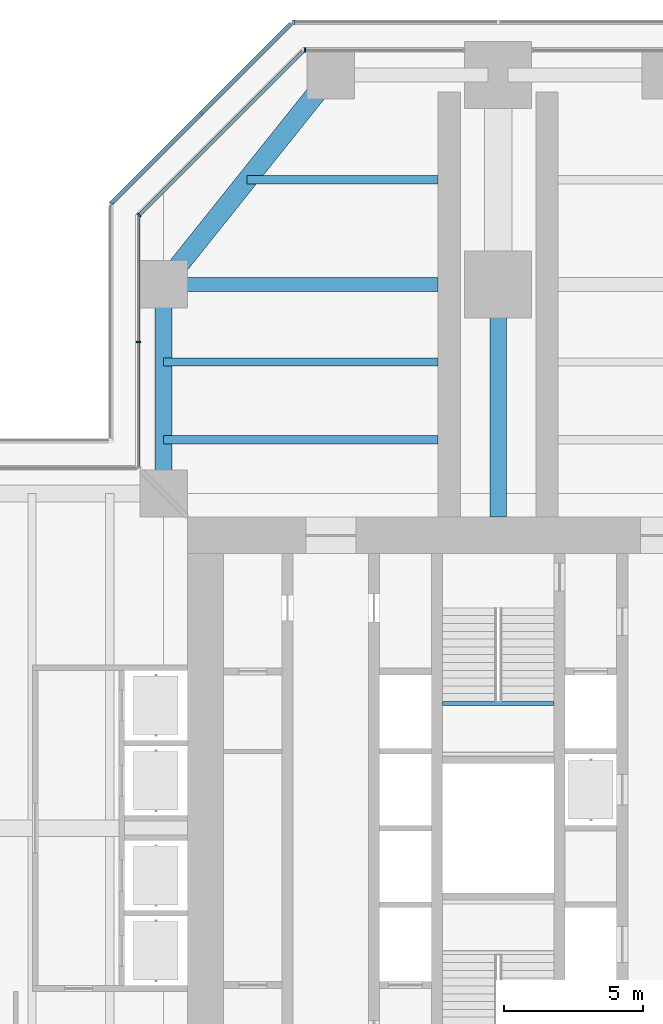
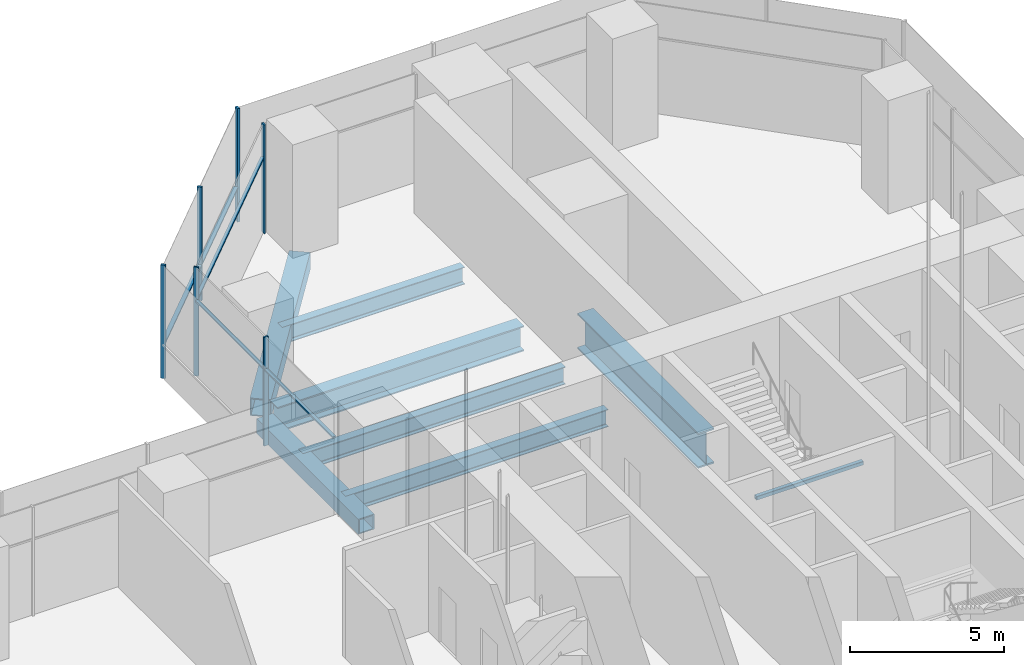
# One storey, part 7 of 34: 11 members, 8 beams, 5 elements without a shape of their own.
"""IFC4 building model written with IfcOpenShell, lengths in metres."""

from ifc_helpers import new_model, si_unit, direction, frame, origin, origin_2d, place, context, subcontext, project, spatial, rectangle, hollow_rectangle, i_section, extrude, material, material_profile, profile_set, type_object, element, aggregate, save


model = new_model("IFC4")

# Units and contexts
model_context = context("Model", 3, precision=1e-05, world=origin(), true_north=direction((0.0, 1.0)))
body_context = subcontext(model_context, "Body", "Model", "MODEL_VIEW")
ifc_project = project(units=[si_unit("LENGTHUNIT", "METRE"), si_unit("AREAUNIT", "SQUARE_METRE"), si_unit("VOLUMEUNIT", "CUBIC_METRE"), si_unit("PLANEANGLEUNIT", "RADIAN"), si_unit("MASSUNIT", "GRAM", prefix="KILO")], contexts=[model_context])

# Site, building, storey
site_placement = place(None, origin())
site = spatial("IfcSite", under=ifc_project, at=site_placement, CompositionType="ELEMENT")
building_placement = place(site_placement, origin())
building = spatial("IfcBuilding", under=site, at=building_placement, Name="Mizan Broadcast Tower", CompositionType="ELEMENT")
storey_placement = place(building_placement, frame((0.0, 0.0, 194.39990234375)))
storey = spatial("IfcBuildingStorey", under=building, at=storey_placement, Name="L45", CompositionType="ELEMENT", Elevation=194.39990234375)

# Beams
ifc_material_1 = material(Name="Steel S355", Category="steel")
ifc_material_profile_1 = material_profile(ifc_material_1, hollow_rectangle(XDim=0.60009765625, YDim=0.60009765625, WallThickness=0.0400390625, at=origin_2d()), Name="BOX 600x600x40")
ifc_profile_set_1 = profile_set([ifc_material_profile_1], Name="Steel S355")
beam_type_1 = type_object("IfcBeamType", Name="EDGE BEAM BOX 600x600x40", PredefinedType="SPANDREL", material=ifc_profile_set_1)
beam_1_placement = place(storey_placement, frame((-12.0, 12.449951171875, -0.429931640625), z_axis=(0.0, 1.0, 0.0), x_axis=(-1.0, 0.0, 0.0)))
element("IfcBeam", 1, at=beam_1_placement, inside=storey, type_object=beam_type_1, Name="Edge beam BOX 600x600x40 L45 north arm", PredefinedType="SPANDREL", context=body_context, shape_type="SweptSolid", body=[
    extrude(hollow_rectangle(XDim=0.60009765625, YDim=0.60009765625, WallThickness=0.0400390625, at=origin_2d()), origin(), (0.0, 0.0, 1.0), 6.60009765625),
])
ifc_material_2 = material(Name="Steel S355", Category="steel")
ifc_material_profile_2 = material_profile(ifc_material_2, hollow_rectangle(XDim=0.699951171875, YDim=0.699951171875, WallThickness=0.0400390625, at=origin_2d()), Name="BOX 700x700x40")
ifc_profile_set_2 = profile_set([ifc_material_profile_2], Name="Steel S355")
beam_type_2 = type_object("IfcBeamType", Name="EDGE BEAM BOX 700x700x40", PredefinedType="SPANDREL", material=ifc_profile_set_2)
beam_2_placement = place(storey_placement, frame((-11.639892578125, 19.949951171875, -0.47998046875), z_axis=(0.624673911726, 0.780885717636, 0.0), x_axis=(-0.780885717636, 0.624673911726, 0.0)))
element("IfcBeam", 2, at=beam_2_placement, inside=storey, type_object=beam_type_2, Name="Edge beam BOX 700x700x40 L45 north arm", PredefinedType="SPANDREL", context=body_context, shape_type="SweptSolid", body=[
    extrude(hollow_rectangle(XDim=0.699951171875, YDim=0.699951171875, WallThickness=0.0400390625, at=origin_2d()), origin(), (0.0, 0.0, 1.0), 8.4521484375),
])
ifc_material_3 = material(Name="Steel S460", Category="steel")
ifc_material_profile_3 = material_profile(ifc_material_3, i_section(OverallWidth=0.5, OverallDepth=1.0, WebThickness=0.02490234375, FlangeThickness=0.050048828125, at=origin_2d()), Name="WPG 1000x500")
ifc_profile_set_3 = profile_set([ifc_material_profile_3], Name="Steel S460")
beam_type_3 = type_object("IfcBeamType", Name="GIRDER WPG 1000x500", PredefinedType="BEAM", material=ifc_profile_set_3)
beam_3_placement = place(storey_placement, frame((-11.408935546875, 19.5, -0.6298828125), z_axis=(1.0, 0.0, 0.0), x_axis=(0.0, 1.0, 0.0)))
element("IfcBeam", 3, at=beam_3_placement, inside=storey, type_object=beam_type_3, Name="Girder WPG 1000x500 L45 north arm", PredefinedType="BEAM", context=body_context, shape_type="SweptSolid", body=[
    extrude(i_section(OverallWidth=0.5, OverallDepth=1.0, WebThickness=0.02490234375, FlangeThickness=0.050048828125, at=origin_2d()), origin(), (0.0, 0.0, 1.0), 9.259033203125),
])
ifc_material_4 = material(Name="Steel S460", Category="steel")
ifc_material_profile_4 = material_profile(ifc_material_4, i_section(OverallWidth=0.60009765625, OverallDepth=1.39990234375, WebThickness=0.02490234375, FlangeThickness=0.06005859375, at=origin_2d()), Name="WPG 1400x600")
ifc_profile_set_4 = profile_set([ifc_material_profile_4], Name="Steel S460")
beam_type_4 = type_object("IfcBeamType", Name="GIRDER WPG 1400x600", PredefinedType="BEAM", material=ifc_profile_set_4)
beam_4_placement = place(storey_placement, frame((0.0, 11.14990234375, -0.829833984375), z_axis=(0.0, 1.0, 0.0), x_axis=(-1.0, 0.0, 0.0)))
element("IfcBeam", 4, at=beam_4_placement, inside=storey, type_object=beam_type_4, Name="Girder WPG 1400x600 L45 north arm", PredefinedType="BEAM", context=body_context, shape_type="SweptSolid", body=[
    extrude(i_section(OverallWidth=0.60009765625, OverallDepth=1.39990234375, WebThickness=0.02490234375, FlangeThickness=0.06005859375, at=origin_2d()), origin(), (0.0, 0.0, 1.0), 7.84912109375),
])

# Curtain wall, member
ifc_material_5 = material(Name="Aluminium framed glazing", Category="aluminium")
curtain_wall_type_1 = type_object("IfcCurtainWallType", Name="INNER SKIN HIGH ZONE", PredefinedType="USERDEFINED", material=ifc_material_5)
curtain_wall_1_placement = place(storey_placement, origin())
curtain_wall_1 = element("IfcCurtainWall", 5, at=curtain_wall_1_placement, inside=storey, type_object=curtain_wall_type_1, Name="Inner skin high zone L45 N end", ObjectType="INNER SKIN HIGH ZONE", PredefinedType="USERDEFINED")
ifc_material_6 = material(Name="Aluminium, pale anodised", Category="aluminium")
ifc_material_profile_5 = material_profile(ifc_material_6, rectangle(XDim=0.159912109375, YDim=0.06005859375, at=origin_2d()), Name="MULLION 160x60")
ifc_profile_set_5 = profile_set([ifc_material_profile_5], Name="Aluminium, pale anodised")
member_type_1 = type_object("IfcMemberType", Name="INNER SKIN MULLION 60x160", PredefinedType="MULLION", material=ifc_profile_set_5)
member_1_placement = place(storey_placement, frame((-6.928466796875, 27.89990234375, 0.0), z_axis=(0.0, 0.0, 1.0), x_axis=(0.0, -1.0, 0.0)))
member_1 = element("IfcMember", 6, at=member_1_placement, type_object=member_type_1, Name="Inner skin high zone L45 N end mullion 2", PredefinedType="MULLION", context=body_context, shape_type="SweptSolid", body=[
    extrude(rectangle(XDim=0.159912109375, YDim=0.06005859375, at=origin_2d()), origin(), (0.0, 0.0, 1.0), 4.320068359375),
])
aggregate(curtain_wall_1, [member_1])

curtain_wall_2_placement = place(storey_placement, origin())
curtain_wall_2 = element("IfcCurtainWall", 7, at=curtain_wall_2_placement, inside=storey, type_object=curtain_wall_type_1, Name="Inner skin high zone L45 N chamfer", ObjectType="INNER SKIN HIGH ZONE", PredefinedType="USERDEFINED")
member_2_placement = place(storey_placement, frame((-12.87890625, 21.979736328125, 0.0), z_axis=(0.0, 0.0, 1.0), x_axis=(0.707106781187, -0.707106781187, 0.0)))
member_2 = element("IfcMember", 8, at=member_2_placement, type_object=member_type_1, Name="Inner skin high zone L45 N chamfer mullion 2", PredefinedType="MULLION", context=body_context, shape_type="SweptSolid", body=[
    extrude(rectangle(XDim=0.159912109375, YDim=0.06005859375, at=origin_2d()), origin(), (0.0, 0.0, 1.0), 4.320068359375),
])

curtain_wall_3_placement = place(storey_placement, origin())
curtain_wall_3 = element("IfcCurtainWall", 9, at=curtain_wall_3_placement, inside=storey, type_object=curtain_wall_type_1, Name="Inner skin high zone L45 N side", ObjectType="INNER SKIN HIGH ZONE", PredefinedType="USERDEFINED")
member_3_placement = place(storey_placement, frame((-12.89990234375, 17.42919921875, 0.0), z_axis=(0.0, 0.0, 1.0), x_axis=(1.0, 0.0, 0.0)))
member_3 = element("IfcMember", 10, at=member_3_placement, type_object=member_type_1, Name="Inner skin high zone L45 N side mullion 2", PredefinedType="MULLION", context=body_context, shape_type="SweptSolid", body=[
    extrude(rectangle(XDim=0.159912109375, YDim=0.06005859375, at=origin_2d()), origin(), (0.0, 0.0, 1.0), 4.320068359375),
])

# Member
ifc_material_7 = material(Name="Aluminium, pale anodised", Category="aluminium")
ifc_material_profile_6 = material_profile(ifc_material_7, rectangle(XDim=0.1201171875, YDim=0.06005859375, at=origin_2d()), Name="TRANSOM 120x60")
ifc_profile_set_6 = profile_set([ifc_material_profile_6], Name="Aluminium, pale anodised")
member_type_2 = type_object("IfcMemberType", Name="INNER SKIN TRANSOM 60x120", PredefinedType="USERDEFINED", material=ifc_profile_set_6)
member_4_placement = place(storey_placement, frame((-7.0009765625, 27.857666015625, 3.030029296875), z_axis=(-0.707106781187, -0.707106781187, 0.0), x_axis=(0.707106781187, -0.707106781187, 0.0)))
member_4 = element("IfcMember", 11, at=member_4_placement, type_object=member_type_2, Name="Inner skin high zone L45 N chamfer transom 1.1", ObjectType="TRANSOM", PredefinedType="USERDEFINED", context=body_context, shape_type="SweptSolid", body=[
    extrude(rectangle(XDim=0.1201171875, YDim=0.06005859375, at=origin_2d()), origin(), (0.0, 0.0, 1.0), 8.28271484375),
])

aggregate(curtain_wall_2, [member_2, member_4])

member_5_placement = place(storey_placement, frame((-12.89990234375, 21.898681640625, 3.030029296875), z_axis=(0.0, -1.0, 0.0), x_axis=(1.0, 0.0, 0.0)))
member_5 = element("IfcMember", 12, at=member_5_placement, type_object=member_type_2, Name="Inner skin high zone L45 N side transom 1.1", ObjectType="TRANSOM", PredefinedType="USERDEFINED", context=body_context, shape_type="SweptSolid", body=[
    extrude(rectangle(XDim=0.1201171875, YDim=0.06005859375, at=origin_2d()), origin(), (0.0, 0.0, 1.0), 4.439453125),
])

member_6_placement = place(storey_placement, frame((-12.89990234375, 17.399169921875, 3.030029296875), z_axis=(0.0, -1.0, 0.0), x_axis=(1.0, 0.0, 0.0)))
member_6 = element("IfcMember", 13, at=member_6_placement, type_object=member_type_2, Name="Inner skin high zone L45 N side transom 2.1", ObjectType="TRANSOM", PredefinedType="USERDEFINED", context=body_context, shape_type="SweptSolid", body=[
    extrude(rectangle(XDim=0.1201171875, YDim=0.06005859375, at=origin_2d()), origin(), (0.0, 0.0, 1.0), 4.439208984375),
])

aggregate(curtain_wall_3, [member_3, member_5, member_6])

# Beam
ifc_material_8 = material(Name="Steel S355", Category="steel")
ifc_material_profile_7 = material_profile(ifc_material_8, hollow_rectangle(XDim=0.14990234375, YDim=0.14990234375, WallThickness=0.008056640625, InnerFilletRadius=0.008056640625, OuterFilletRadius=0.011962890625, at=origin_2d()), Name="SHS 150x150x8")
ifc_profile_set_7 = profile_set([ifc_material_profile_7], Name="Steel S355")
beam_type_5 = type_object("IfcBeamType", Name="LANDING TRIMMER SHS 150x150x8", PredefinedType="BEAM", material=ifc_profile_set_7)
beam_5_placement = place(storey_placement, frame((2.0, 4.465087890625, 1.97509765625), z_axis=(-1.0, 0.0, 0.0), x_axis=(0.0, -1.0, 0.0)))
element("IfcBeam", 14, at=beam_5_placement, inside=storey, type_object=beam_type_5, Name="Stair B landing trimmer L45", PredefinedType="BEAM", context=body_context, shape_type="SweptSolid", body=[
    extrude(hollow_rectangle(XDim=0.14990234375, YDim=0.14990234375, WallThickness=0.008056640625, InnerFilletRadius=0.008056640625, OuterFilletRadius=0.011962890625, at=origin_2d()), origin(), (0.0, 0.0, 1.0), 4.0),
])

# Curtain wall, member
ifc_material_9 = material(Name="Aluminium framed glazing", Category="aluminium")
curtain_wall_type_2 = type_object("IfcCurtainWallType", Name="OUTER SKIN", PredefinedType="USERDEFINED", material=ifc_material_9)
curtain_wall_4_placement = place(storey_placement, origin())
curtain_wall_4 = element("IfcCurtainWall", 15, at=curtain_wall_4_placement, inside=storey, type_object=curtain_wall_type_2, Name="Outer skin L45 N end", ObjectType="OUTER SKIN", PredefinedType="USERDEFINED")
ifc_material_10 = material(Name="Aluminium, pale anodised", Category="aluminium")
ifc_material_profile_8 = material_profile(ifc_material_10, rectangle(XDim=0.159912109375, YDim=0.080078125, at=origin_2d()), Name="MULLION 160x80")
ifc_profile_set_8 = profile_set([ifc_material_profile_8], Name="Aluminium, pale anodised")
member_type_3 = type_object("IfcMemberType", Name="OUTER SKIN MULLION 80x160", PredefinedType="MULLION", material=ifc_profile_set_8)
member_7_placement = place(storey_placement, frame((-7.332763671875, 28.89990234375, 0.0), z_axis=(0.0, 0.0, 1.0), x_axis=(0.0, -1.0, 0.0)))
member_7 = element("IfcMember", 16, at=member_7_placement, type_object=member_type_3, Name="Outer skin L45 N end mullion 3", PredefinedType="MULLION", context=body_context, shape_type="SweptSolid", body=[
    extrude(rectangle(XDim=0.159912109375, YDim=0.080078125, at=origin_2d()), origin(), (0.0, 0.0, 1.0), 4.5),
])
aggregate(curtain_wall_4, [member_7])

# Curtain wall, members
curtain_wall_5_placement = place(storey_placement, origin())
curtain_wall_5 = element("IfcCurtainWall", 17, at=curtain_wall_5_placement, inside=storey, type_object=curtain_wall_type_2, Name="Outer skin L45 N chamfer", ObjectType="OUTER SKIN", PredefinedType="USERDEFINED")
member_8_placement = place(storey_placement, frame((-10.636474609375, 25.636474609375, 0.0), z_axis=(0.0, 0.0, 1.0), x_axis=(0.707106781187, -0.707106781187, 0.0)))
member_8 = element("IfcMember", 18, at=member_8_placement, type_object=member_type_3, Name="Outer skin L45 N chamfer mullion 2", PredefinedType="MULLION", context=body_context, shape_type="SweptSolid", body=[
    extrude(rectangle(XDim=0.159912109375, YDim=0.080078125, at=origin_2d()), origin(), (0.0, 0.0, 1.0), 4.5),
])
member_9_placement = place(storey_placement, frame((-13.871826171875, 22.401123046875, 0.0), z_axis=(0.0, 0.0, 1.0), x_axis=(0.707106781187, -0.707106781187, 0.0)))
member_9 = element("IfcMember", 19, at=member_9_placement, type_object=member_type_3, Name="Outer skin L45 N chamfer mullion 3", PredefinedType="MULLION", context=body_context, shape_type="SweptSolid", body=[
    extrude(rectangle(XDim=0.159912109375, YDim=0.080078125, at=origin_2d()), origin(), (0.0, 0.0, 1.0), 4.5),
])
ifc_material_11 = material(Name="Aluminium, pale anodised", Category="aluminium")
ifc_material_profile_9 = material_profile(ifc_material_11, rectangle(XDim=0.159912109375, YDim=0.06005859375, at=origin_2d()), Name="TRANSOM 160x60")
ifc_profile_set_9 = profile_set([ifc_material_profile_9], Name="Aluminium, pale anodised")
member_type_4 = type_object("IfcMemberType", Name="OUTER SKIN TRANSOM 60x160", PredefinedType="USERDEFINED", material=ifc_profile_set_9)
member_10_placement = place(storey_placement, frame((-7.429443359375, 28.843505859375, 1.400146484375), z_axis=(-0.707106781187, -0.707106781187, 0.0), x_axis=(0.707106781187, -0.707106781187, 0.0)))
member_10 = element("IfcMember", 20, at=member_10_placement, type_object=member_type_4, Name="Outer skin L45 N chamfer transom 1.1", ObjectType="TRANSOM", PredefinedType="USERDEFINED", context=body_context, shape_type="SweptSolid", body=[
    extrude(rectangle(XDim=0.159912109375, YDim=0.06005859375, at=origin_2d()), origin(), (0.0, 0.0, 1.0), 4.495361328125),
])
member_11_placement = place(storey_placement, frame((-10.664794921875, 25.608154296875, 1.400146484375), z_axis=(-0.707106781187, -0.707106781187, 0.0), x_axis=(0.707106781187, -0.707106781187, 0.0)))
member_11 = element("IfcMember", 21, at=member_11_placement, type_object=member_type_4, Name="Outer skin L45 N chamfer transom 2.1", ObjectType="TRANSOM", PredefinedType="USERDEFINED", context=body_context, shape_type="SweptSolid", body=[
    extrude(rectangle(XDim=0.159912109375, YDim=0.06005859375, at=origin_2d()), origin(), (0.0, 0.0, 1.0), 4.495361328125),
])
aggregate(curtain_wall_5, [member_8, member_9, member_10, member_11])

# Beams
ifc_material_12 = material(Name="Steel S355", Category="steel")
ifc_material_profile_10 = material_profile(ifc_material_12, i_section(OverallWidth=0.300048828125, OverallDepth=0.68994140625, WebThickness=0.014404296875, FlangeThickness=0.027099609375, FilletRadius=0.027099609375, at=origin_2d()), Name="HEA 700")
ifc_profile_set_10 = profile_set([ifc_material_profile_10], Name="Steel S355")
beam_type_6 = type_object("IfcBeamType", Name="SECONDARY BEAM HEA 700", PredefinedType="JOIST", material=ifc_profile_set_10)
for number, where, z_axis, x_axis, name in (
    (22, (-12.0, 13.933349609375, -0.474853515625), (1.0, 0.0, 0.0), (0.0, 1.0, 0.0), "Secondary beam HEA 700 L45 north arm"),
    (23, (-12.0, 16.716552734375, -0.474853515625), (1.0, 0.0, 0.0), (0.0, 1.0, 0.0), "Secondary beam HEA 700 L45 north arm"),
):
    element("IfcBeam", number, at=place(storey_placement, frame(where, z_axis=z_axis, x_axis=x_axis)), inside=storey, type_object=beam_type_6, Name=name, PredefinedType="JOIST", context=body_context, shape_type="SweptSolid", body=[
        extrude(i_section(OverallWidth=0.300048828125, OverallDepth=0.68994140625, WebThickness=0.014404296875, FlangeThickness=0.027099609375, FilletRadius=0.027099609375, at=origin_2d()), origin(), (0.0, 0.0, 1.0), 9.85009765625),
    ])
beam_6_placement = place(storey_placement, frame((-9.0, 23.25, -0.474853515625), z_axis=(1.0, 0.0, 0.0), x_axis=(0.0, 1.0, 0.0)))
element("IfcBeam", 24, at=beam_6_placement, inside=storey, type_object=beam_type_6, Name="Secondary beam HEA 700 L45 north arm", PredefinedType="JOIST", context=body_context, shape_type="SweptSolid", body=[
    extrude(i_section(OverallWidth=0.300048828125, OverallDepth=0.68994140625, WebThickness=0.014404296875, FlangeThickness=0.027099609375, FilletRadius=0.027099609375, at=origin_2d()), origin(), (0.0, 0.0, 1.0), 6.85009765625),
])

save(model, "model.ifc")
